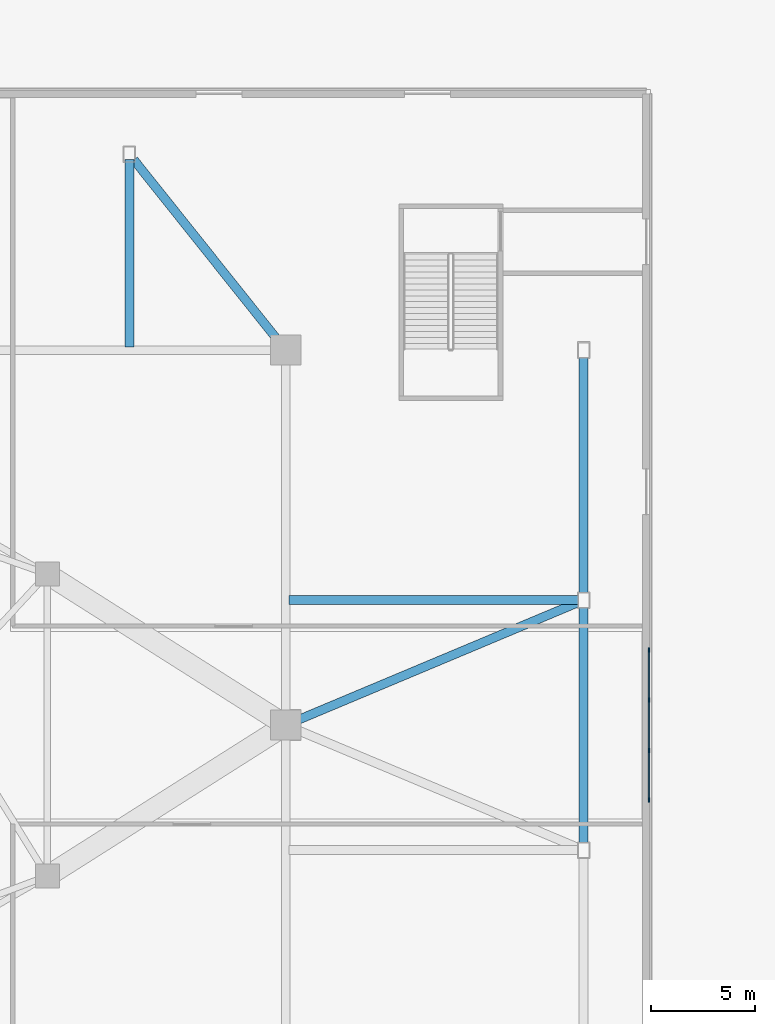
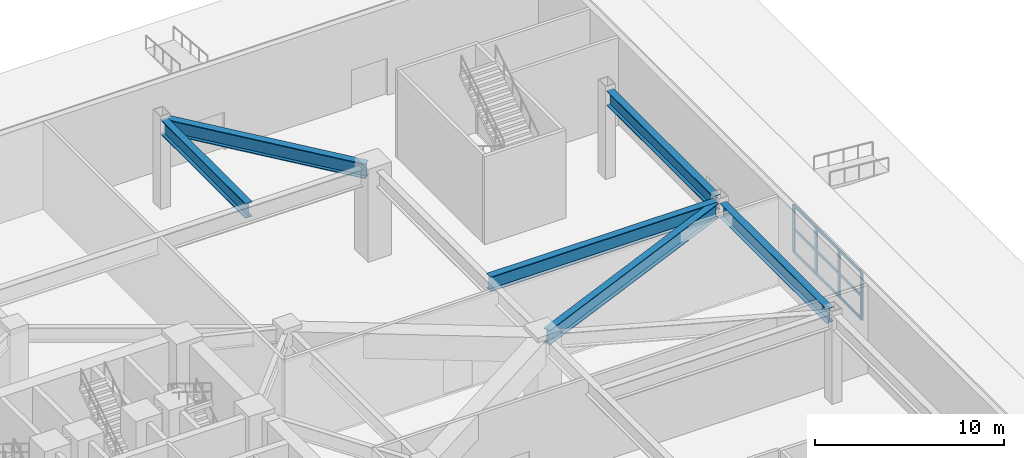
# One storey, part 6 of 24: 13 members, 6 beams, 1 element without a shape of its own.
"""IFC4 building model written with IfcOpenShell, lengths in metres."""

from ifc_helpers import new_model, si_unit, direction, frame, origin, origin_2d, place, context, subcontext, project, spatial, rectangle, i_section, extrude, material, layer, layer_set, material_profile, profile_set, type_object, element, aggregate, save


model = new_model("IFC4")

# Units and contexts
model_context = context("Model", 3, precision=1e-05, world=origin(), true_north=direction((0.0, 1.0)))
body_context = subcontext(model_context, "Body", "Model", "MODEL_VIEW")
ifc_project = project(units=[si_unit("LENGTHUNIT", "METRE"), si_unit("AREAUNIT", "SQUARE_METRE"), si_unit("VOLUMEUNIT", "CUBIC_METRE"), si_unit("PLANEANGLEUNIT", "RADIAN"), si_unit("MASSUNIT", "GRAM", prefix="KILO")], contexts=[model_context])

# Site, building, storey
site_placement = place(None, origin())
site = spatial("IfcSite", under=ifc_project, at=site_placement, CompositionType="ELEMENT")
building_placement = place(site_placement, origin())
building = spatial("IfcBuilding", under=site, at=building_placement, Name="Apsidion Concourse Tower", CompositionType="ELEMENT")
storey_placement = place(building_placement, origin())
storey = spatial("IfcBuildingStorey", under=building, at=storey_placement, Name="L00", CompositionType="ELEMENT", Elevation=0.0)

# Beams
ifc_material_1 = material(Name="Structural steel ASTM A992 Grade 50", Category="steel")
ifc_material_profile_1 = material_profile(ifc_material_1, i_section(OverallWidth=0.423095703125, OverallDepth=0.947998046875, WebThickness=0.02392578125, FlangeThickness=0.042724609375, at=origin_2d()), Name="W36X302")
ifc_profile_set_1 = profile_set([ifc_material_profile_1], Name="Structural steel ASTM A992 Grade 50")
beam_type = type_object("IfcBeamType", Name="BM-G-W36H", PredefinedType="USERDEFINED", material=ifc_profile_set_1)
beam_1_placement = place(storey_placement, frame((38.050048828125, 6.0, 5.22607421875), z_axis=(-1.0, 0.0, 0.0), x_axis=(0.0, -1.0, 0.0)))
element("IfcBeam", 1, at=beam_1_placement, inside=storey, type_object=beam_type, Name="L00 Podium Radial Frame Girder PC07", ObjectType="GIRDER", PredefinedType="USERDEFINED", context=body_context, shape_type="SweptSolid", body=[
    extrude(i_section(OverallWidth=0.423095703125, OverallDepth=0.947998046875, WebThickness=0.02392578125, FlangeThickness=0.042724609375, at=origin_2d()), origin(), (0.0, 0.0, 1.0), 13.900146484375),
])
beam_2_placement = place(storey_placement, frame((37.977294921875, 5.864501953125, 5.22607421875), z_axis=(-0.92212437548, -0.386893572118, 0.0), x_axis=(0.386893572118, -0.92212437548, 0.0)))
element("IfcBeam", 2, at=beam_2_placement, inside=storey, type_object=beam_type, Name="L00 Podium Diagonal Frame Tie PC07", ObjectType="GIRDER", PredefinedType="USERDEFINED", context=body_context, shape_type="SweptSolid", body=[
    extrude(i_section(OverallWidth=0.423095703125, OverallDepth=0.947998046875, WebThickness=0.02392578125, FlangeThickness=0.042724609375, at=origin_2d()), origin(), (0.0, 0.0, 1.0), 14.8076171875),
])
beam_3_placement = place(storey_placement, frame((16.5, 27.14990234375, 5.22607421875), z_axis=(0.0, -1.0, 0.0), x_axis=(1.0, 0.0, 0.0)))
element("IfcBeam", 3, at=beam_3_placement, inside=storey, type_object=beam_type, Name="L00 Podium Radial Frame Girder PC12", ObjectType="GIRDER", PredefinedType="USERDEFINED", context=body_context, shape_type="SweptSolid", body=[
    extrude(i_section(OverallWidth=0.423095703125, OverallDepth=0.947998046875, WebThickness=0.02392578125, FlangeThickness=0.042724609375, at=origin_2d()), origin(), (0.0, 0.0, 1.0), 9.0),
])
beam_4_placement = place(storey_placement, frame((16.71826171875, 27.12646484375, 5.22607421875), z_axis=(0.623685030382, -0.781675753031, 0.0), x_axis=(0.781675753031, 0.623685030382, 0.0)))
element("IfcBeam", 4, at=beam_4_placement, inside=storey, type_object=beam_type, Name="L00 Podium Diagonal Frame Tie PC12", ObjectType="GIRDER", PredefinedType="USERDEFINED", context=body_context, shape_type="SweptSolid", body=[
    extrude(i_section(OverallWidth=0.423095703125, OverallDepth=0.947998046875, WebThickness=0.02392578125, FlangeThickness=0.042724609375, at=origin_2d()), origin(), (0.0, 0.0, 1.0), 11.325439453125),
])
for number, where, z_axis, x_axis, name in (
    (5, (38.300048828125, -5.64990234375, 5.22607421875), (0.0, 1.0, 0.0), (-1.0, 0.0, 0.0), "L00 Podium Spandrel Girder PC06-PC07"),
    (6, (38.300048828125, 6.35009765625, 5.22607421875), (0.0, 1.0, 0.0), (-1.0, 0.0, 0.0), "L00 Podium Spandrel Girder PC07-PC08"),
):
    element("IfcBeam", number, at=place(storey_placement, frame(where, z_axis=z_axis, x_axis=x_axis)), inside=storey, type_object=beam_type, Name=name, ObjectType="GIRDER", PredefinedType="USERDEFINED", context=body_context, shape_type="SweptSolid", body=[
        extrude(i_section(OverallWidth=0.423095703125, OverallDepth=0.947998046875, WebThickness=0.02392578125, FlangeThickness=0.042724609375, at=origin_2d()), origin(), (0.0, 0.0, 1.0), 11.2998046875),
    ])

# Curtain wall, members
ifc_material_2 = material(Name="Insulated laminated low-E glass", Category="glass")
ifc_layer = layer(ifc_material_2, 0.18994140625)
ifc_layer_set = layer_set([ifc_layer], Name="Insulated laminated low-E glass")
curtain_wall_type = type_object("IfcCurtainWallType", Name="CW-SYS-01", PredefinedType="NOTDEFINED", material=ifc_layer_set)
curtain_wall_placement = place(storey_placement, origin())
curtain_wall = element("IfcCurtainWall", 7, at=curtain_wall_placement, inside=storey, type_object=curtain_wall_type, Name="L00 Podium Glazed Curtain Wall E", PredefinedType="NOTDEFINED")
ifc_material_3 = material(Name="Anodised aluminium EN AW-6063 T6", Category="aluminium")
ifc_material_profile_2 = material_profile(ifc_material_3, rectangle(XDim=0.074951171875, YDim=0.219970703125, at=origin_2d()), Name="ALU MULLION 75x220")
ifc_profile_set_2 = profile_set([ifc_material_profile_2], Name="Anodised aluminium EN AW-6063 T6")
member_type_1 = type_object("IfcMemberType", Name="CWM-75X220", PredefinedType="MULLION", material=ifc_profile_set_2)
member_1_placement = place(storey_placement, frame((41.43994140625, 3.598388671875, 2.60009765625), z_axis=(0.0, 0.0, 1.0), x_axis=(1.0, 0.0, 0.0)))
member_1 = element("IfcMember", 8, at=member_1_placement, type_object=member_type_1, Name="CW-01 mullion 1", PredefinedType="MULLION", context=body_context, shape_type="SweptSolid", body=[
    extrude(rectangle(XDim=0.074951171875, YDim=0.219970703125, at=origin_2d()), origin(), (0.0, 0.0, 1.0), 3.0498046875),
])
member_2_placement = place(storey_placement, frame((41.43994140625, 1.2119140625, 2.60009765625), z_axis=(0.0, 0.0, 1.0), x_axis=(1.0, 0.0, 0.0)))
member_2 = element("IfcMember", 9, at=member_2_placement, type_object=member_type_1, Name="CW-01 mullion 2", PredefinedType="MULLION", context=body_context, shape_type="SweptSolid", body=[
    extrude(rectangle(XDim=0.074951171875, YDim=0.219970703125, at=origin_2d()), origin(), (0.0, 0.0, 1.0), 3.0498046875),
])
member_3_placement = place(storey_placement, frame((41.43994140625, -1.2119140625, 2.60009765625), z_axis=(0.0, 0.0, 1.0), x_axis=(1.0, 0.0, 0.0)))
member_3 = element("IfcMember", 10, at=member_3_placement, type_object=member_type_1, Name="CW-01 mullion 3", PredefinedType="MULLION", context=body_context, shape_type="SweptSolid", body=[
    extrude(rectangle(XDim=0.074951171875, YDim=0.219970703125, at=origin_2d()), origin(), (0.0, 0.0, 1.0), 3.0498046875),
])
member_4_placement = place(storey_placement, frame((41.43994140625, -3.598388671875, 2.60009765625), z_axis=(0.0, 0.0, 1.0), x_axis=(1.0, 0.0, 0.0)))
member_4 = element("IfcMember", 11, at=member_4_placement, type_object=member_type_1, Name="CW-01 mullion 4", PredefinedType="MULLION", context=body_context, shape_type="SweptSolid", body=[
    extrude(rectangle(XDim=0.074951171875, YDim=0.219970703125, at=origin_2d()), origin(), (0.0, 0.0, 1.0), 3.0498046875),
])
ifc_material_profile_3 = material_profile(ifc_material_3, rectangle(XDim=0.074951171875, YDim=0.159912109375, at=origin_2d()), Name="ALU TRANSOM 75x160")
ifc_profile_set_3 = profile_set([ifc_material_profile_3], Name="Anodised aluminium EN AW-6063 T6")
member_type_2 = type_object("IfcMemberType", Name="CWT-75X160", PredefinedType="USERDEFINED", material=ifc_profile_set_3)
member_5_placement = place(storey_placement, frame((41.43994140625, 3.56103515625, 2.637451171875), z_axis=(0.0, -1.0, 0.0), x_axis=(1.0, 0.0, 0.0)))
member_5 = element("IfcMember", 12, at=member_5_placement, type_object=member_type_2, Name="CW-01 transom 1.1", ObjectType="TRANSOM", PredefinedType="USERDEFINED", context=body_context, shape_type="SweptSolid", body=[
    extrude(rectangle(XDim=0.074951171875, YDim=0.159912109375, at=origin_2d()), origin(), (0.0, 0.0, 1.0), 2.3115234375),
])
member_6_placement = place(storey_placement, frame((41.43994140625, 3.56103515625, 4.125), z_axis=(0.0, -1.0, 0.0), x_axis=(1.0, 0.0, 0.0)))
member_6 = element("IfcMember", 13, at=member_6_placement, type_object=member_type_2, Name="CW-01 transom 1.2", ObjectType="TRANSOM", PredefinedType="USERDEFINED", context=body_context, shape_type="SweptSolid", body=[
    extrude(rectangle(XDim=0.074951171875, YDim=0.159912109375, at=origin_2d()), origin(), (0.0, 0.0, 1.0), 2.3115234375),
])
member_7_placement = place(storey_placement, frame((41.43994140625, 3.56103515625, 5.612548828125), z_axis=(0.0, -1.0, 0.0), x_axis=(1.0, 0.0, 0.0)))
member_7 = element("IfcMember", 14, at=member_7_placement, type_object=member_type_2, Name="CW-01 transom 1.3", ObjectType="TRANSOM", PredefinedType="USERDEFINED", context=body_context, shape_type="SweptSolid", body=[
    extrude(rectangle(XDim=0.074951171875, YDim=0.159912109375, at=origin_2d()), origin(), (0.0, 0.0, 1.0), 2.3115234375),
])
member_8_placement = place(storey_placement, frame((41.43994140625, 1.174560546875, 2.637451171875), z_axis=(0.0, -1.0, 0.0), x_axis=(1.0, 0.0, 0.0)))
member_8 = element("IfcMember", 15, at=member_8_placement, type_object=member_type_2, Name="CW-01 transom 2.1", ObjectType="TRANSOM", PredefinedType="USERDEFINED", context=body_context, shape_type="SweptSolid", body=[
    extrude(rectangle(XDim=0.074951171875, YDim=0.159912109375, at=origin_2d()), origin(), (0.0, 0.0, 1.0), 2.34912109375),
])
member_9_placement = place(storey_placement, frame((41.43994140625, 1.174560546875, 4.125), z_axis=(0.0, -1.0, 0.0), x_axis=(1.0, 0.0, 0.0)))
member_9 = element("IfcMember", 16, at=member_9_placement, type_object=member_type_2, Name="CW-01 transom 2.2", ObjectType="TRANSOM", PredefinedType="USERDEFINED", context=body_context, shape_type="SweptSolid", body=[
    extrude(rectangle(XDim=0.074951171875, YDim=0.159912109375, at=origin_2d()), origin(), (0.0, 0.0, 1.0), 2.34912109375),
])
member_10_placement = place(storey_placement, frame((41.43994140625, 1.174560546875, 5.612548828125), z_axis=(0.0, -1.0, 0.0), x_axis=(1.0, 0.0, 0.0)))
member_10 = element("IfcMember", 17, at=member_10_placement, type_object=member_type_2, Name="CW-01 transom 2.3", ObjectType="TRANSOM", PredefinedType="USERDEFINED", context=body_context, shape_type="SweptSolid", body=[
    extrude(rectangle(XDim=0.074951171875, YDim=0.159912109375, at=origin_2d()), origin(), (0.0, 0.0, 1.0), 2.34912109375),
])
member_11_placement = place(storey_placement, frame((41.43994140625, -1.24951171875, 2.637451171875), z_axis=(0.0, -1.0, 0.0), x_axis=(1.0, 0.0, 0.0)))
member_11 = element("IfcMember", 18, at=member_11_placement, type_object=member_type_2, Name="CW-01 transom 3.1", ObjectType="TRANSOM", PredefinedType="USERDEFINED", context=body_context, shape_type="SweptSolid", body=[
    extrude(rectangle(XDim=0.074951171875, YDim=0.159912109375, at=origin_2d()), origin(), (0.0, 0.0, 1.0), 2.3115234375),
])
member_12_placement = place(storey_placement, frame((41.43994140625, -1.24951171875, 4.125), z_axis=(0.0, -1.0, 0.0), x_axis=(1.0, 0.0, 0.0)))
member_12 = element("IfcMember", 19, at=member_12_placement, type_object=member_type_2, Name="CW-01 transom 3.2", ObjectType="TRANSOM", PredefinedType="USERDEFINED", context=body_context, shape_type="SweptSolid", body=[
    extrude(rectangle(XDim=0.074951171875, YDim=0.159912109375, at=origin_2d()), origin(), (0.0, 0.0, 1.0), 2.3115234375),
])
member_13_placement = place(storey_placement, frame((41.43994140625, -1.24951171875, 5.612548828125), z_axis=(0.0, -1.0, 0.0), x_axis=(1.0, 0.0, 0.0)))
member_13 = element("IfcMember", 20, at=member_13_placement, type_object=member_type_2, Name="CW-01 transom 3.3", ObjectType="TRANSOM", PredefinedType="USERDEFINED", context=body_context, shape_type="SweptSolid", body=[
    extrude(rectangle(XDim=0.074951171875, YDim=0.159912109375, at=origin_2d()), origin(), (0.0, 0.0, 1.0), 2.3115234375),
])
aggregate(curtain_wall, [member_1, member_2, member_3, member_4, member_5, member_6, member_7, member_8, member_9, member_10, member_11, member_12, member_13])

save(model, "model.ifc")
